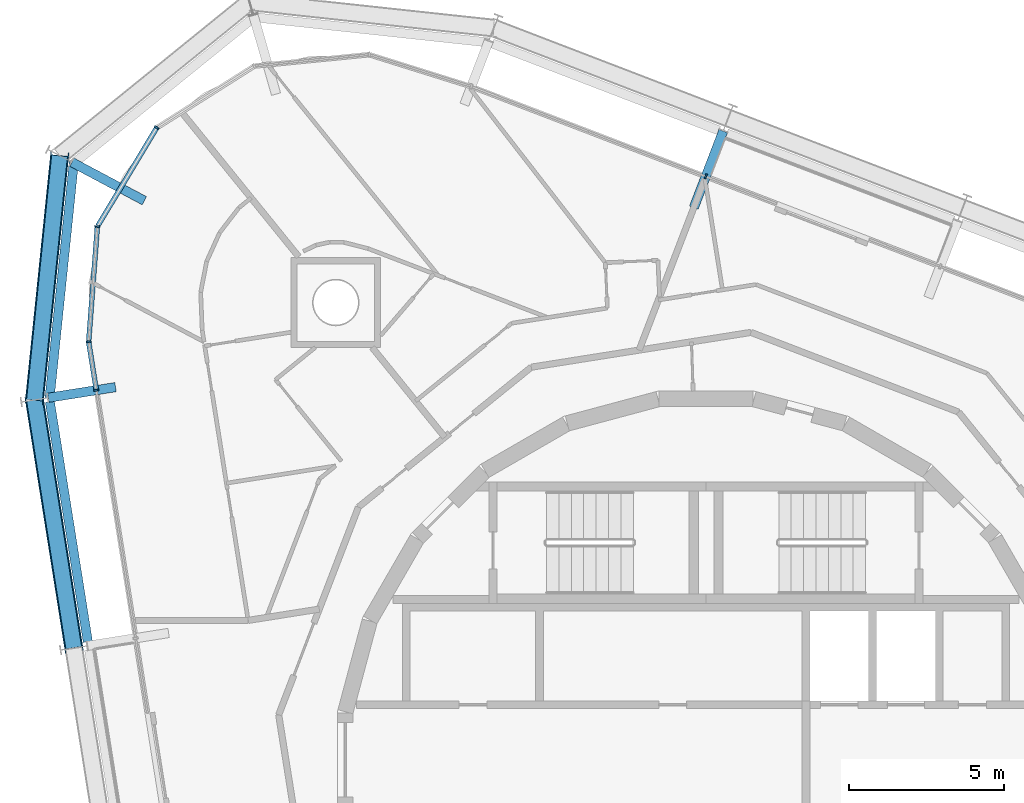
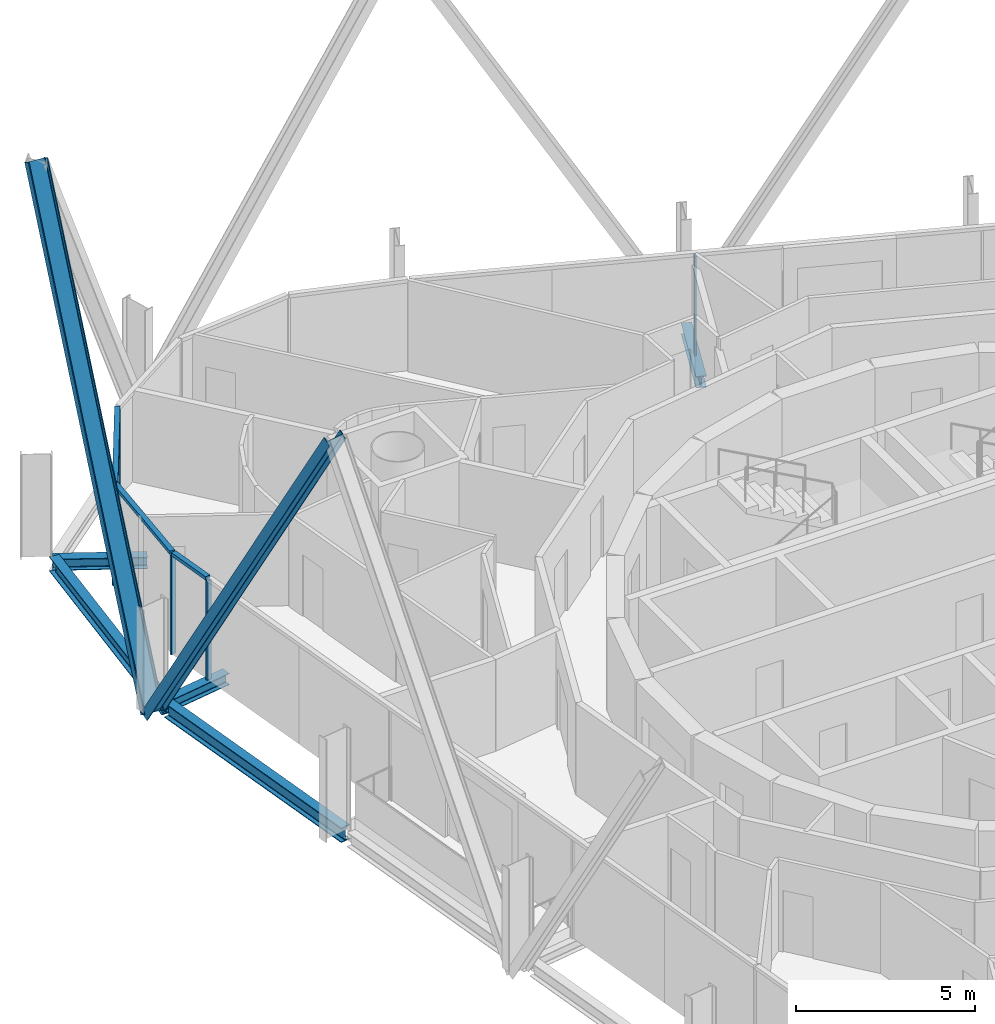
# One storey, part 6 of 18: 10 members, 5 beams, 3 elements without a shape of their own.
"""IFC4 building model written with IfcOpenShell, lengths in metres."""

from ifc_helpers import new_model, si_unit, direction, frame, origin, origin_2d, place, context, subcontext, project, spatial, rectangle, i_section, extrude, material, layer, layer_set, material_profile, profile_set, type_object, element, aggregate, save


model = new_model("IFC4")

# Units and contexts
model_context = context("Model", 3, precision=1e-05, world=origin(), true_north=direction((0.0, 1.0)))
body_context = subcontext(model_context, "Body", "Model", "MODEL_VIEW")
ifc_project = project(units=[si_unit("LENGTHUNIT", "METRE"), si_unit("AREAUNIT", "SQUARE_METRE"), si_unit("VOLUMEUNIT", "CUBIC_METRE"), si_unit("PLANEANGLEUNIT", "RADIAN"), si_unit("MASSUNIT", "GRAM", prefix="KILO")], contexts=[model_context])

# Site, building, storey
site_placement = place(None, origin())
site = spatial("IfcSite", under=ifc_project, at=site_placement, CompositionType="ELEMENT")
building_placement = place(site_placement, origin())
building = spatial("IfcBuilding", under=site, at=building_placement, Name="Spindle Arch Residences", CompositionType="ELEMENT")
storey_placement = place(building_placement, frame((0.0, 0.0, 277.39990234375)))
storey = spatial("IfcBuildingStorey", under=building, at=storey_placement, Name="L71", CompositionType="ELEMENT", Elevation=277.39990234375)

# Curtain wall, member
ifc_material_1 = material(Name="Aluminium bronze unitised frame with tinted glass", Category="aluminium")
ifc_layer_1 = layer(ifc_material_1, 0.159912109375)
ifc_layer_set_1 = layer_set([ifc_layer_1], Name="CW-C typical residential unitised wall")
curtain_wall_type_1 = type_object("IfcCurtainWallType", Name="CW-C typical residential unitised wall", PredefinedType="NOTDEFINED", material=ifc_layer_set_1)
curtain_wall_1_placement = place(storey_placement, origin())
curtain_wall_1 = element("IfcCurtainWall", 1, at=curtain_wall_1_placement, inside=storey, type_object=curtain_wall_type_1, Name="CW-C L71 run 2", PredefinedType="NOTDEFINED")
ifc_material_2 = material(Name="Aluminium bronze anodised mullion", Category="aluminium")
ifc_material_profile_1 = material_profile(ifc_material_2, rectangle(XDim=0.159912109375, YDim=0.06005859375, at=origin_2d()), Name="MU 60x160")
ifc_profile_set_1 = profile_set([ifc_material_profile_1], Name="Aluminium bronze anodised mullion")
member_type_1 = type_object("IfcMemberType", Name="Bronze mullion 60x160", PredefinedType="MULLION", material=ifc_profile_set_1)
member_1_placement = place(storey_placement, frame((-0.0087890625, 18.830322265625, -0.3798828125), z_axis=(0.0, 0.0, 1.0), x_axis=(-0.358367949545, -0.933580426497, 0.0)))
member_1 = element("IfcMember", 2, at=member_1_placement, type_object=member_type_1, Name="CW-C mullion 07", PredefinedType="MULLION", context=body_context, shape_type="SweptSolid", body=[
    extrude(rectangle(XDim=0.159912109375, YDim=0.06005859375, at=origin_2d()), origin(), (0.0, 0.0, 1.0), 3.3798828125),
])
aggregate(curtain_wall_1, [member_1])

# Curtain wall, members
ifc_material_3 = material(Name="Aluminium bronze unitised frame with tinted glass", Category="aluminium")
ifc_layer_2 = layer(ifc_material_3, 0.159912109375)
ifc_layer_set_2 = layer_set([ifc_layer_2], Name="CW-D corner wall on the fillet arcs")
curtain_wall_type_2 = type_object("IfcCurtainWallType", Name="CW-D corner wall on the fillet arcs", PredefinedType="NOTDEFINED", material=ifc_layer_set_2)
curtain_wall_2_placement = place(storey_placement, origin())
curtain_wall_2 = element("IfcCurtainWall", 3, at=curtain_wall_2_placement, inside=storey, type_object=curtain_wall_type_2, Name="CW-D L71 run 3", PredefinedType="NOTDEFINED")
member_2_placement = place(storey_placement, frame((-17.732421875, 20.406982421875, -0.3798828125), z_axis=(0.0, 0.0, 1.0), x_axis=(0.857167301925, -0.515038072875, 0.0)))
member_2 = element("IfcMember", 4, at=member_2_placement, type_object=member_type_1, Name="CW-D mullion 03", PredefinedType="MULLION", context=body_context, shape_type="SweptSolid", body=[
    extrude(rectangle(XDim=0.159912109375, YDim=0.06005859375, at=origin_2d()), origin(), (0.0, 0.0, 1.0), 3.3798828125),
])
member_3_placement = place(storey_placement, frame((-19.65185546875, 17.212646484375, -0.3798828125), z_axis=(0.0, 0.0, 1.0), x_axis=(0.997141344139, -0.07555884997, 0.0)))
member_3 = element("IfcMember", 5, at=member_3_placement, type_object=member_type_1, Name="CW-D mullion 04", PredefinedType="MULLION", context=body_context, shape_type="SweptSolid", body=[
    extrude(rectangle(XDim=0.159912109375, YDim=0.06005859375, at=origin_2d()), origin(), (0.0, 0.0, 1.0), 3.3798828125),
])
member_4_placement = place(storey_placement, frame((-19.933349609375, 13.49658203125, -0.3798828125), z_axis=(0.0, 0.0, 1.0), x_axis=(0.987688340595, 0.15643446504, 0.0)))
member_4 = element("IfcMember", 6, at=member_4_placement, type_object=member_type_1, Name="CW-D mullion 05", PredefinedType="MULLION", context=body_context, shape_type="SweptSolid", body=[
    extrude(rectangle(XDim=0.159912109375, YDim=0.06005859375, at=origin_2d()), origin(), (0.0, 0.0, 1.0), 3.3798828125),
])

# Curtain wall, member
curtain_wall_3_placement = place(storey_placement, origin())
curtain_wall_3 = element("IfcCurtainWall", 7, at=curtain_wall_3_placement, inside=storey, type_object=curtain_wall_type_1, Name="CW-C L71 run 4", PredefinedType="NOTDEFINED")
member_5_placement = place(storey_placement, frame((-19.685546875, 11.931396484375, -0.3798828125), z_axis=(0.0, 0.0, 1.0), x_axis=(0.987688340595, 0.15643446504, 0.0)))
member_5 = element("IfcMember", 8, at=member_5_placement, type_object=member_type_1, Name="CW-C mullion 11", PredefinedType="MULLION", context=body_context, shape_type="SweptSolid", body=[
    extrude(rectangle(XDim=0.159912109375, YDim=0.06005859375, at=origin_2d()), origin(), (0.0, 0.0, 1.0), 3.3798828125),
])
aggregate(curtain_wall_3, [member_5])

# Member
ifc_material_4 = material(Name="Aluminium bronze anodised transom", Category="aluminium")
ifc_material_profile_2 = material_profile(ifc_material_4, rectangle(XDim=0.159912109375, YDim=0.1201171875, at=origin_2d()), Name="TR 120x160")
ifc_profile_set_2 = profile_set([ifc_material_profile_2], Name="Aluminium bronze anodised transom")
member_type_2 = type_object("IfcMemberType", Name="Bronze transom 120x160", PredefinedType="USERDEFINED", material=ifc_profile_set_2)
member_6_placement = place(storey_placement, frame((-17.747802734375, 20.38134765625, 3.06005859375), z_axis=(-0.515014612012, -0.857181398196, 0.0), x_axis=(0.857181398196, -0.515014612012, 0.0)))
member_6 = element("IfcMember", 9, at=member_6_placement, type_object=member_type_2, Name="CW-D transom 03", ObjectType="TRANSOM", PredefinedType="USERDEFINED", context=body_context, shape_type="SweptSolid", body=[
    extrude(rectangle(XDim=0.159912109375, YDim=0.1201171875, at=origin_2d()), origin(), (0.0, 0.0, 1.0), 3.666748046875),
])

member_7_placement = place(storey_placement, frame((-19.654052734375, 17.1826171875, 3.06005859375), z_axis=(-0.07557120479, -0.99714040787, 0.0), x_axis=(0.99714040787, -0.07557120479, 0.0)))
member_7 = element("IfcMember", 10, at=member_7_placement, type_object=member_type_2, Name="CW-D transom 04", ObjectType="TRANSOM", PredefinedType="USERDEFINED", context=body_context, shape_type="SweptSolid", body=[
    extrude(rectangle(XDim=0.159912109375, YDim=0.1201171875, at=origin_2d()), origin(), (0.0, 0.0, 1.0), 3.666748046875),
])

member_8_placement = place(storey_placement, frame((-19.9287109375, 13.466796875, 3.06005859375), z_axis=(0.156447707445, -0.987686243113, 0.0), x_axis=(0.987686243113, 0.156447707445, 0.0)))
member_8 = element("IfcMember", 11, at=member_8_placement, type_object=member_type_2, Name="CW-D transom 05", ObjectType="TRANSOM", PredefinedType="USERDEFINED", context=body_context, shape_type="SweptSolid", body=[
    extrude(rectangle(XDim=0.159912109375, YDim=0.1201171875, at=origin_2d()), origin(), (0.0, 0.0, 1.0), 1.524658203125),
])

aggregate(curtain_wall_2, [member_2, member_6, member_3, member_7, member_4, member_8])

# Members
ifc_material_5 = material(Name="Steel S460ML, intumescent coating R 240", Category="steel")
ifc_material_profile_3 = material_profile(ifc_material_5, i_section(OverallWidth=0.300048828125, OverallDepth=0.60009765625, WebThickness=0.015380859375, FlangeThickness=0.030029296875, FilletRadius=0.027099609375, at=origin_2d()), Name="HEB 600")
ifc_profile_set_3 = profile_set([ifc_material_profile_3], Name="Steel S460ML, intumescent coating R 240")
member_type_3 = type_object("IfcMemberType", Name="Diagrid diagonal HEB 600", PredefinedType="BRACE", material=ifc_profile_set_3)
member_9_placement = place(storey_placement, frame((-21.6806640625, 11.615234375, -0.6298828125), z_axis=(0.050987389699, 0.496309008437, 0.866647364409), x_axis=(-0.088567269746, -0.862109907707, 0.498921181915)))
element("IfcMember", 12, at=member_9_placement, inside=storey, type_object=member_type_3, Name="Diagrid diagonal 7.2.11", PredefinedType="BRACE", context=body_context, shape_type="SweptSolid", body=[
    extrude(i_section(OverallWidth=0.300048828125, OverallDepth=0.60009765625, WebThickness=0.015380859375, FlangeThickness=0.030029296875, FilletRadius=0.027099609375, at=origin_2d()), origin(), (0.0, 0.0, 1.0), 15.892333984375),
])
member_10_placement = place(storey_placement, frame((-21.6806640625, 11.615234375, -0.6298828125), z_axis=(0.07935875468, -0.5010371116, 0.861779554675), x_axis=(-0.134815789164, 0.851169021903, 0.507282957672)))
element("IfcMember", 13, at=member_10_placement, inside=storey, type_object=member_type_3, Name="Diagrid diagonal 7.2.12", PredefinedType="BRACE", context=body_context, shape_type="SweptSolid", body=[
    extrude(i_section(OverallWidth=0.300048828125, OverallDepth=0.60009765625, WebThickness=0.015380859375, FlangeThickness=0.030029296875, FilletRadius=0.027099609375, at=origin_2d()), origin(), (0.0, 0.0, 1.0), 15.98193359375),
])

# Beams
ifc_material_6 = material(Name="Steel S460ML, intumescent coating R 120", Category="steel")
ifc_material_profile_4 = material_profile(ifc_material_6, i_section(OverallWidth=0.300048828125, OverallDepth=0.5, WebThickness=0.014404296875, FlangeThickness=0.028076171875, FilletRadius=0.027099609375, at=origin_2d()), Name="HEB 500")
ifc_profile_set_4 = profile_set([ifc_material_profile_4], Name="Steel S460ML, intumescent coating R 120")
beam_type_1 = type_object("IfcBeamType", Name="Exoskeleton edge beam HEB 500", PredefinedType="BEAM", material=ifc_profile_set_4)
beam_1_placement = place(storey_placement, frame((-20.41015625, 19.294189453125, -0.6298828125), z_axis=(-0.102188803119, -0.99476502176, 0.0), x_axis=(0.99476502176, -0.102188803119, 0.0)))
element("IfcBeam", 14, at=beam_1_placement, inside=storey, type_object=beam_type_1, Name="Exoskeleton edge beam 11", PredefinedType="BEAM", context=body_context, shape_type="SweptSolid", body=[
    extrude(i_section(OverallWidth=0.300048828125, OverallDepth=0.5, WebThickness=0.014404296875, FlangeThickness=0.028076171875, FilletRadius=0.027099609375, at=origin_2d()), origin(), (0.0, 0.0, 1.0), 7.6689453125),
])
beam_2_placement = place(storey_placement, frame((-21.186279296875, 11.56201171875, -0.6298828125), z_axis=(0.156453001738, -0.987685404492, 0.0), x_axis=(0.987685404492, 0.156453001738, 0.0)))
element("IfcBeam", 15, at=beam_2_placement, inside=storey, type_object=beam_type_1, Name="Exoskeleton edge beam 12", PredefinedType="BEAM", context=body_context, shape_type="SweptSolid", body=[
    extrude(i_section(OverallWidth=0.300048828125, OverallDepth=0.5, WebThickness=0.014404296875, FlangeThickness=0.028076171875, FilletRadius=0.027099609375, at=origin_2d()), origin(), (0.0, 0.0, 1.0), 7.84765625),
])
ifc_material_7 = material(Name="Steel S460ML, intumescent coating R 120", Category="steel")
ifc_material_profile_5 = material_profile(ifc_material_7, i_section(OverallWidth=0.300048828125, OverallDepth=0.389892578125, WebThickness=0.010986328125, FlangeThickness=0.01904296875, FilletRadius=0.027099609375, at=origin_2d()), Name="HEA 400")
ifc_profile_set_5 = profile_set([ifc_material_profile_5], Name="Steel S460ML, intumescent coating R 120")
beam_type_2 = type_object("IfcBeamType", Name="Floor outrigger HEA 400", PredefinedType="BEAM", material=ifc_profile_set_5)
for number, where, z_axis, x_axis, name in (
    (16, (0.553955078125, 20.296142578125, -0.574951171875), (-0.358392499624, -0.933571002234, 0.0), (0.933571002234, -0.358392499624, 0.0), "Floor outrigger 8"),
    (17, (-20.472900390625, 19.29150390625, -0.574951171875), (0.882885392442, -0.469588526065, 0.0), (0.469588526065, 0.882885392442, 0.0), "Floor outrigger 11"),
):
    element("IfcBeam", number, at=place(storey_placement, frame(where, z_axis=z_axis, x_axis=x_axis)), inside=storey, type_object=beam_type_2, Name=name, PredefinedType="BEAM", context=body_context, shape_type="SweptSolid", body=[
        extrude(i_section(OverallWidth=0.300048828125, OverallDepth=0.389892578125, WebThickness=0.010986328125, FlangeThickness=0.01904296875, FilletRadius=0.027099609375, at=origin_2d()), origin(), (0.0, 0.0, 1.0), 2.64990234375),
    ])
beam_3_placement = place(storey_placement, frame((-21.236083984375, 11.685791015625, -0.574951171875), z_axis=(0.987697139372, 0.156378901635, 0.0), x_axis=(-0.156378901635, 0.987697139372, 0.0)))
element("IfcBeam", 18, at=beam_3_placement, inside=storey, type_object=beam_type_2, Name="Floor outrigger 12", PredefinedType="BEAM", context=body_context, shape_type="SweptSolid", body=[
    extrude(i_section(OverallWidth=0.300048828125, OverallDepth=0.389892578125, WebThickness=0.010986328125, FlangeThickness=0.01904296875, FilletRadius=0.027099609375, at=origin_2d()), origin(), (0.0, 0.0, 1.0), 2.1982421875),
])

save(model, "model.ifc")
